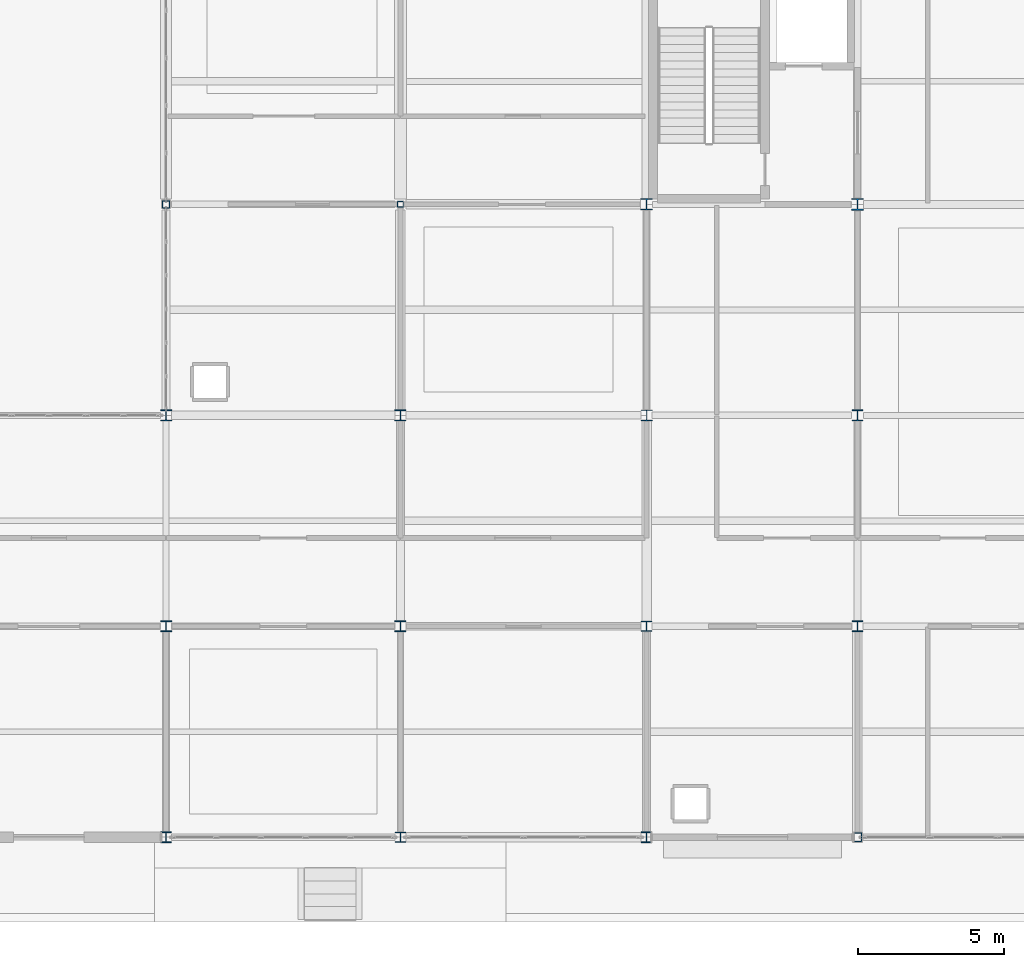
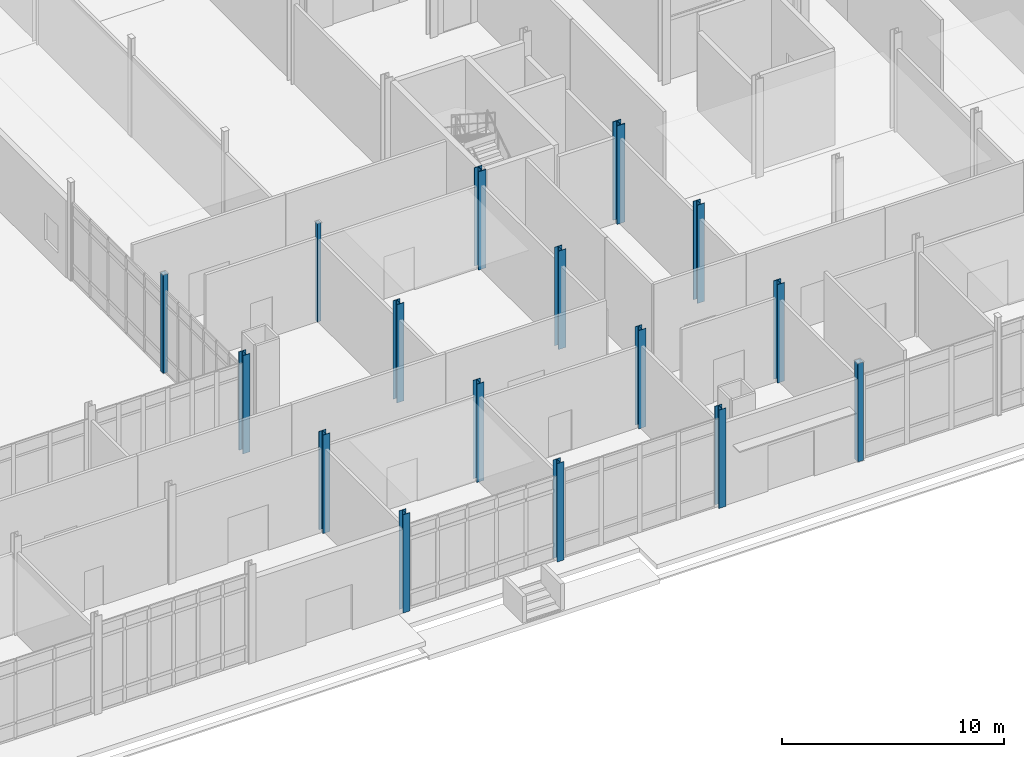
# One storey, part 5 of 229: 16 columns.
"""IFC4 building model written with IfcOpenShell, lengths in metres."""

from ifc_helpers import new_model, si_unit, direction, frame, origin, origin_2d, place, context, subcontext, project, spatial, hollow_rectangle, i_section, extrude, material, material_profile, profile_set, type_object, element, save


model = new_model("IFC4")

# Units and contexts
model_context = context("Model", 3, precision=1e-05, world=origin(), true_north=direction((0.0, 1.0)))
body_context = subcontext(model_context, "Body", "Model", "MODEL_VIEW")
ifc_project = project(units=[si_unit("LENGTHUNIT", "METRE"), si_unit("AREAUNIT", "SQUARE_METRE"), si_unit("VOLUMEUNIT", "CUBIC_METRE"), si_unit("PLANEANGLEUNIT", "RADIAN"), si_unit("MASSUNIT", "GRAM", prefix="KILO")], contexts=[model_context])

# Site, building, storey
site_placement = place(None, origin())
site = spatial("IfcSite", under=ifc_project, at=site_placement, CompositionType="ELEMENT")
building_placement = place(site_placement, origin())
building = spatial("IfcBuilding", under=site, at=building_placement, Name="Calvrana Isthmian Art Gallery", CompositionType="ELEMENT")
storey_placement = place(building_placement, origin())
storey = spatial("IfcBuildingStorey", under=building, at=storey_placement, Name="L00", CompositionType="ELEMENT", Elevation=0.0)

# Columns
ifc_material_1 = material(Name="Steel ASTM A500 Gr C", Category="steel")
ifc_material_profile_1 = material_profile(ifc_material_1, hollow_rectangle(XDim=0.203125, YDim=0.203125, WallThickness=0.0126953125, OuterFilletRadius=0.02490234375, at=origin_2d()), Name="HSS203X203X12.7")
ifc_profile_set_1 = profile_set([ifc_material_profile_1], Name="Steel ASTM A500 Gr C")
column_type_1 = type_object("IfcColumnType", Name="COL-STL-HSS203X203X12.7", PredefinedType="COLUMN", material=ifc_profile_set_1)
column_1_placement = place(storey_placement, frame((104.39990234375, 21.60009765625, 0.0), z_axis=(0.0, 0.0, 1.0), x_axis=(1.0, 0.0, 0.0)))
element("IfcColumn", 1, at=column_1_placement, inside=storey, type_object=column_type_1, Name="Column 14/D L00", PredefinedType="COLUMN", context=body_context, shape_type="SweptSolid", body=[
    extrude(hollow_rectangle(XDim=0.203125, YDim=0.203125, WallThickness=0.0126953125, OuterFilletRadius=0.02490234375, at=origin_2d()), origin(), (0.0, 0.0, 1.0), 5.39990234375),
])
ifc_material_profile_2 = material_profile(ifc_material_1, hollow_rectangle(XDim=0.25390625, YDim=0.25390625, WallThickness=0.0126953125, OuterFilletRadius=0.02490234375, at=origin_2d()), Name="HSS254X254X12.7")
ifc_profile_set_2 = profile_set([ifc_material_profile_2], Name="Steel ASTM A500 Gr C")
column_type_2 = type_object("IfcColumnType", Name="COL-STL-HSS254X254X12.7", PredefinedType="COLUMN", material=ifc_profile_set_2)
column_2_placement = place(storey_placement, frame((96.39990234375, 21.60009765625, 0.0), z_axis=(0.0, 0.0, 1.0), x_axis=(1.0, 0.0, 0.0)))
element("IfcColumn", 2, at=column_2_placement, inside=storey, type_object=column_type_2, Name="Column 13/D L00", PredefinedType="COLUMN", context=body_context, shape_type="SweptSolid", body=[
    extrude(hollow_rectangle(XDim=0.25390625, YDim=0.25390625, WallThickness=0.0126953125, OuterFilletRadius=0.02490234375, at=origin_2d()), origin(), (0.0, 0.0, 1.0), 5.39990234375),
])
ifc_material_profile_3 = material_profile(ifc_material_1, hollow_rectangle(XDim=0.3046875, YDim=0.3046875, WallThickness=0.015869140625, OuterFilletRadius=0.031982421875, at=origin_2d()), Name="HSS305X305X15.9")
ifc_profile_set_3 = profile_set([ifc_material_profile_3], Name="Steel ASTM A500 Gr C")
column_type_3 = type_object("IfcColumnType", Name="COL-STL-HSS305X305X15.9", PredefinedType="COLUMN", material=ifc_profile_set_3)
column_3_placement = place(storey_placement, frame((120.0, 0.0, 0.0), z_axis=(0.0, 0.0, 1.0), x_axis=(1.0, 0.0, 0.0)))
element("IfcColumn", 3, at=column_3_placement, inside=storey, type_object=column_type_3, Name="Column 16/A L00", PredefinedType="COLUMN", context=body_context, shape_type="SweptSolid", body=[
    extrude(hollow_rectangle(XDim=0.3046875, YDim=0.3046875, WallThickness=0.015869140625, OuterFilletRadius=0.031982421875, at=origin_2d()), origin(), (0.0, 0.0, 1.0), 5.39990234375),
])
ifc_material_2 = material(Name="Steel ASTM A992 Gr 50", Category="steel")
ifc_material_profile_4 = material_profile(ifc_material_2, i_section(OverallWidth=0.37109375, OverallDepth=0.363037109375, WebThickness=0.01318359375, FlangeThickness=0.021728515625, FilletRadius=0.02490234375, at=origin_2d()), Name="W14X109")
ifc_profile_set_4 = profile_set([ifc_material_profile_4], Name="Steel ASTM A992 Gr 50")
column_type_4 = type_object("IfcColumnType", Name="COL-STL-W14X109", PredefinedType="COLUMN", material=ifc_profile_set_4)
for number, where, z_axis, x_axis, name in (
    (4, (96.39990234375, 0.0, 0.0), (0.0, 0.0, 1.0), (1.0, 0.0, 0.0), "Column 13/A L00"),
    (5, (104.39990234375, 7.199951171875, 0.0), (0.0, 0.0, 1.0), (1.0, 0.0, 0.0), "Column 14/B L00"),
):
    element("IfcColumn", number, at=place(storey_placement, frame(where, z_axis=z_axis, x_axis=x_axis)), inside=storey, type_object=column_type_4, Name=name, PredefinedType="COLUMN", context=body_context, shape_type="SweptSolid", body=[
        extrude(i_section(OverallWidth=0.37109375, OverallDepth=0.363037109375, WebThickness=0.01318359375, FlangeThickness=0.021728515625, FilletRadius=0.02490234375, at=origin_2d()), origin(), (0.0, 0.0, 1.0), 5.39990234375),
    ])
ifc_material_profile_5 = material_profile(ifc_material_2, i_section(OverallWidth=0.373046875, OverallDepth=0.367919921875, WebThickness=0.014892578125, FlangeThickness=0.02392578125, FilletRadius=0.02490234375, at=origin_2d()), Name="W14X120")
ifc_profile_set_5 = profile_set([ifc_material_profile_5], Name="Steel ASTM A992 Gr 50")
column_type_5 = type_object("IfcColumnType", Name="COL-STL-W14X120", PredefinedType="COLUMN", material=ifc_profile_set_5)
for number, where, z_axis, x_axis, name in (
    (6, (96.39990234375, 7.199951171875, 0.0), (0.0, 0.0, 1.0), (1.0, 0.0, 0.0), "Column 13/B L00"),
    (7, (104.39990234375, 14.39990234375, 0.0), (0.0, 0.0, 1.0), (1.0, 0.0, 0.0), "Column 14/C L00"),
):
    element("IfcColumn", number, at=place(storey_placement, frame(where, z_axis=z_axis, x_axis=x_axis)), inside=storey, type_object=column_type_5, Name=name, PredefinedType="COLUMN", context=body_context, shape_type="SweptSolid", body=[
        extrude(i_section(OverallWidth=0.373046875, OverallDepth=0.367919921875, WebThickness=0.014892578125, FlangeThickness=0.02392578125, FilletRadius=0.02490234375, at=origin_2d()), origin(), (0.0, 0.0, 1.0), 5.39990234375),
    ])
ifc_material_profile_6 = material_profile(ifc_material_2, i_section(OverallWidth=0.373046875, OverallDepth=0.373046875, WebThickness=0.016357421875, FlangeThickness=0.026123046875, FilletRadius=0.02490234375, at=origin_2d()), Name="W14X132")
ifc_profile_set_6 = profile_set([ifc_material_profile_6], Name="Steel ASTM A992 Gr 50")
column_type_6 = type_object("IfcColumnType", Name="COL-STL-W14X132", PredefinedType="COLUMN", material=ifc_profile_set_6)
for number, where, z_axis, x_axis, name in (
    (8, (96.39990234375, 14.39990234375, 0.0), (0.0, 0.0, 1.0), (1.0, 0.0, 0.0), "Column 13/C L00"),
    (9, (112.800048828125, 0.0, 0.0), (0.0, 0.0, 1.0), (1.0, 0.0, 0.0), "Column 15/A L00"),
    (10, (120.0, 7.199951171875, 0.0), (0.0, 0.0, 1.0), (1.0, 0.0, 0.0), "Column 16/B L00"),
    (11, (120.0, 14.39990234375, 0.0), (0.0, 0.0, 1.0), (1.0, 0.0, 0.0), "Column 16/C L00"),
):
    element("IfcColumn", number, at=place(storey_placement, frame(where, z_axis=z_axis, x_axis=x_axis)), inside=storey, type_object=column_type_6, Name=name, PredefinedType="COLUMN", context=body_context, shape_type="SweptSolid", body=[
        extrude(i_section(OverallWidth=0.373046875, OverallDepth=0.373046875, WebThickness=0.016357421875, FlangeThickness=0.026123046875, FilletRadius=0.02490234375, at=origin_2d()), origin(), (0.0, 0.0, 1.0), 5.39990234375),
    ])
ifc_material_profile_7 = material_profile(ifc_material_2, i_section(OverallWidth=0.39404296875, OverallDepth=0.3759765625, WebThickness=0.017333984375, FlangeThickness=0.027587890625, FilletRadius=0.02490234375, at=origin_2d()), Name="W14X145")
ifc_profile_set_7 = profile_set([ifc_material_profile_7], Name="Steel ASTM A992 Gr 50")
column_type_7 = type_object("IfcColumnType", Name="COL-STL-W14X145", PredefinedType="COLUMN", material=ifc_profile_set_7)
column_4_placement = place(storey_placement, frame((112.800048828125, 14.39990234375, 0.0), z_axis=(0.0, 0.0, 1.0), x_axis=(1.0, 0.0, 0.0)))
element("IfcColumn", 12, at=column_4_placement, inside=storey, type_object=column_type_7, Name="Column 15/C L00", PredefinedType="COLUMN", context=body_context, shape_type="SweptSolid", body=[
    extrude(i_section(OverallWidth=0.39404296875, OverallDepth=0.3759765625, WebThickness=0.017333984375, FlangeThickness=0.027587890625, FilletRadius=0.02490234375, at=origin_2d()), origin(), (0.0, 0.0, 1.0), 5.39990234375),
])
ifc_material_profile_8 = material_profile(ifc_material_2, i_section(OverallWidth=0.39892578125, OverallDepth=0.39404296875, WebThickness=0.022705078125, FlangeThickness=0.03662109375, FilletRadius=0.02490234375, at=origin_2d()), Name="W14X193")
ifc_profile_set_8 = profile_set([ifc_material_profile_8], Name="Steel ASTM A992 Gr 50")
column_type_8 = type_object("IfcColumnType", Name="COL-STL-W14X193", PredefinedType="COLUMN", material=ifc_profile_set_8)
column_5_placement = place(storey_placement, frame((112.800048828125, 21.60009765625, 0.0), z_axis=(0.0, 0.0, 1.0), x_axis=(1.0, 0.0, 0.0)))
element("IfcColumn", 13, at=column_5_placement, inside=storey, type_object=column_type_8, Name="Column 15/D L00", PredefinedType="COLUMN", context=body_context, shape_type="SweptSolid", body=[
    extrude(i_section(OverallWidth=0.39892578125, OverallDepth=0.39404296875, WebThickness=0.022705078125, FlangeThickness=0.03662109375, FilletRadius=0.02490234375, at=origin_2d()), origin(), (0.0, 0.0, 1.0), 5.39990234375),
])
ifc_material_profile_9 = material_profile(ifc_material_2, i_section(OverallWidth=0.406005859375, OverallDepth=0.4169921875, WebThickness=0.02978515625, FlangeThickness=0.048095703125, FilletRadius=0.02490234375, at=origin_2d()), Name="W14X257")
ifc_profile_set_9 = profile_set([ifc_material_profile_9], Name="Steel ASTM A992 Gr 50")
column_type_9 = type_object("IfcColumnType", Name="COL-STL-W14X257", PredefinedType="COLUMN", material=ifc_profile_set_9)
column_6_placement = place(storey_placement, frame((120.0, 21.60009765625, 0.0), z_axis=(0.0, 0.0, 1.0), x_axis=(1.0, 0.0, 0.0)))
element("IfcColumn", 14, at=column_6_placement, inside=storey, type_object=column_type_9, Name="Column 16/D L00", PredefinedType="COLUMN", context=body_context, shape_type="SweptSolid", body=[
    extrude(i_section(OverallWidth=0.406005859375, OverallDepth=0.4169921875, WebThickness=0.02978515625, FlangeThickness=0.048095703125, FilletRadius=0.02490234375, at=origin_2d()), origin(), (0.0, 0.0, 1.0), 5.39990234375),
])
ifc_material_profile_10 = material_profile(ifc_material_2, i_section(OverallWidth=0.367919921875, OverallDepth=0.35595703125, WebThickness=0.01123046875, FlangeThickness=0.01806640625, FilletRadius=0.02490234375, at=origin_2d()), Name="W14X90")
ifc_profile_set_10 = profile_set([ifc_material_profile_10], Name="Steel ASTM A992 Gr 50")
column_type_10 = type_object("IfcColumnType", Name="COL-STL-W14X90", PredefinedType="COLUMN", material=ifc_profile_set_10)
for number, where, z_axis, x_axis, name in (
    (15, (104.39990234375, 0.0, 0.0), (0.0, 0.0, 1.0), (1.0, 0.0, 0.0), "Column 14/A L00"),
    (16, (112.800048828125, 7.199951171875, 0.0), (0.0, 0.0, 1.0), (1.0, 0.0, 0.0), "Column 15/B L00"),
):
    element("IfcColumn", number, at=place(storey_placement, frame(where, z_axis=z_axis, x_axis=x_axis)), inside=storey, type_object=column_type_10, Name=name, PredefinedType="COLUMN", context=body_context, shape_type="SweptSolid", body=[
        extrude(i_section(OverallWidth=0.367919921875, OverallDepth=0.35595703125, WebThickness=0.01123046875, FlangeThickness=0.01806640625, FilletRadius=0.02490234375, at=origin_2d()), origin(), (0.0, 0.0, 1.0), 5.39990234375),
    ])

save(model, "model.ifc")
